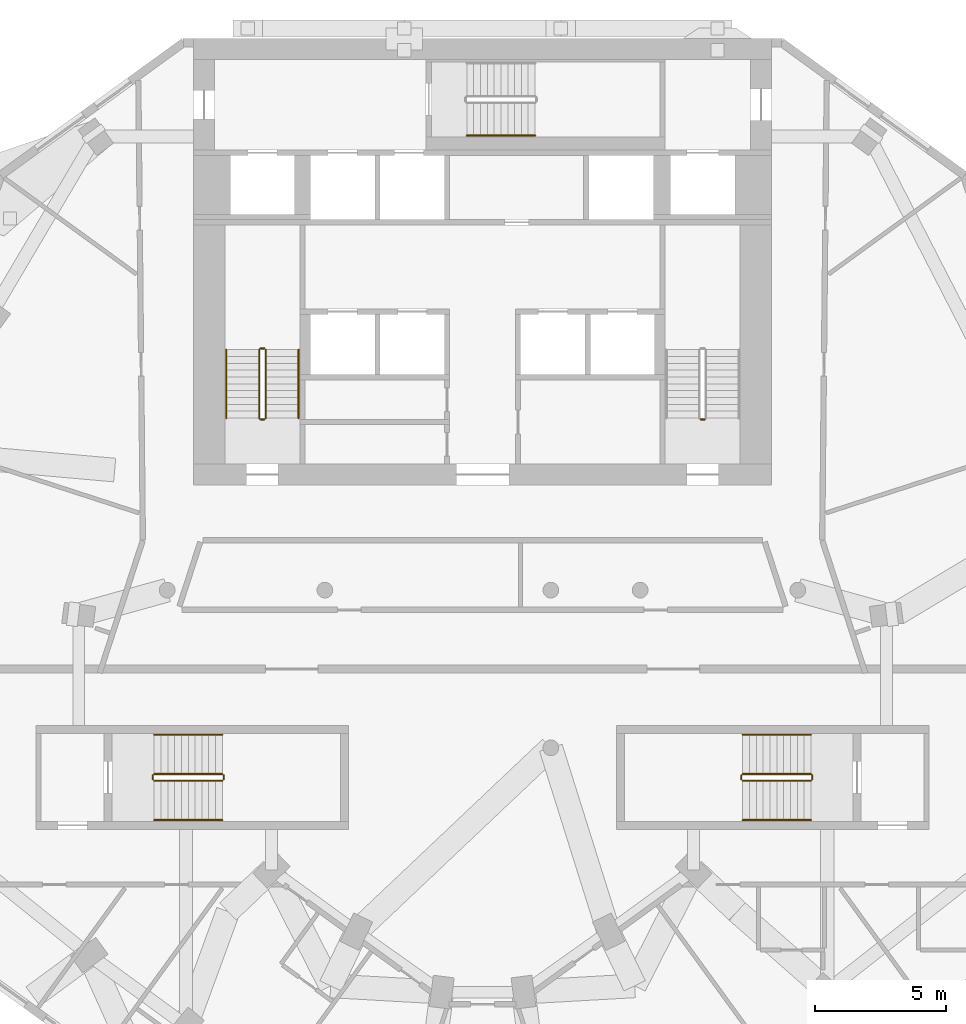
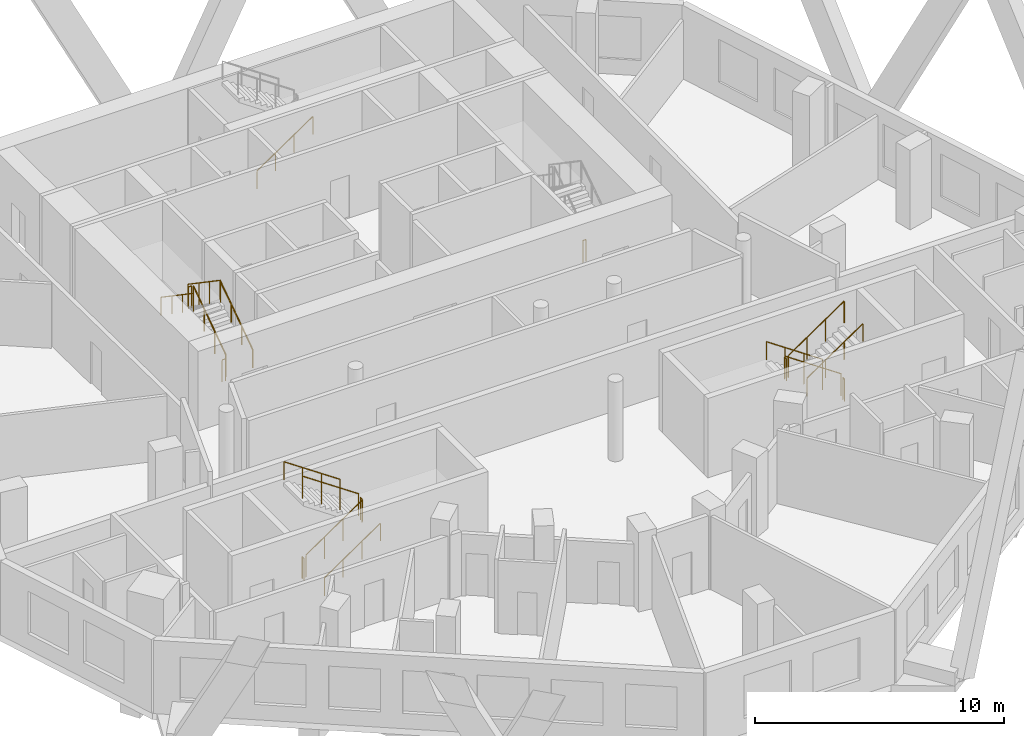
# One storey, part 9 of 10: 20 railings.
"""IFC4 building model written with IfcOpenShell, lengths in metres."""

from ifc_helpers import new_model, si_unit, direction, frame, origin, origin_2d, place, context, subcontext, project, spatial, circle, extrude, material, type_object, element, save


model = new_model("IFC4")

# Units and contexts
model_context = context("Model", 3, precision=1e-05, world=origin(), true_north=direction((0.0, 1.0)))
body_context = subcontext(model_context, "Body", "Model", "MODEL_VIEW")
ifc_project = project(units=[si_unit("LENGTHUNIT", "METRE"), si_unit("AREAUNIT", "SQUARE_METRE"), si_unit("VOLUMEUNIT", "CUBIC_METRE"), si_unit("PLANEANGLEUNIT", "RADIAN"), si_unit("MASSUNIT", "GRAM", prefix="KILO")], contexts=[model_context])

# Site, building, storey
site_placement = place(None, origin())
site = spatial("IfcSite", under=ifc_project, at=site_placement, CompositionType="ELEMENT")
building_placement = place(site_placement, origin())
building = spatial("IfcBuilding", under=site, at=building_placement, Name="White Candle Pilgrim Tower", CompositionType="ELEMENT")
storey_placement = place(building_placement, frame((0.0, 0.0, 196.5)))
storey = spatial("IfcBuildingStorey", under=building, at=storey_placement, Name="L45", CompositionType="ELEMENT", Elevation=196.5)

# Railings
ifc_material = material(Name="Stainless steel", Category="steel")
railing_type_1 = type_object("IfcRailingType", Name="Stair guard stainless steel 1100 mm", PredefinedType="GUARDRAIL", material=ifc_material)
railing_1_placement = place(storey_placement, frame((61.75, 73.550048828125, 0.17724609375)))
element("IfcRailing", 1, at=railing_1_placement, inside=storey, type_object=railing_type_1, Name="L45 ST1 stair guard 1", PredefinedType="GUARDRAIL", context=body_context, shape_type="SweptSolid", body=[
    extrude(circle(Radius=0.02392578125, at=origin_2d()), frame((0.0, 0.0, 1.076171875), z_axis=(0.0, 0.826215852431, 0.563353676824), x_axis=(-1.0, 0.0, 0.0)), (0.0, 0.0, 1.0), 3.146728515625),
    extrude(circle(Radius=0.02099609375, at=origin_2d()), origin(), (0.0, 0.0, 1.0), 1.052001953125),
    extrude(circle(Radius=0.02099609375, at=origin_2d()), frame((0.0, 0.86669921875, 0.5908203125)), (0.0, 0.0, 1.0), 1.052001953125),
    extrude(circle(Radius=0.02099609375, at=origin_2d()), frame((0.0, 1.733154296875, 1.181884765625)), (0.0, 0.0, 1.0), 1.052001953125),
    extrude(circle(Radius=0.02099609375, at=origin_2d()), frame((0.0, 2.599853515625, 1.772705078125)), (0.0, 0.0, 1.0), 1.052001953125),
])
railing_2_placement = place(storey_placement, frame((61.699951171875, 76.199951171875, 1.949951171875)))
element("IfcRailing", 2, at=railing_2_placement, inside=storey, type_object=railing_type_1, Name="L45 ST1 stair guard 2", PredefinedType="GUARDRAIL", context=body_context, shape_type="SweptSolid", body=[
    extrude(circle(Radius=0.02392578125, at=origin_2d()), frame((0.0, 0.0, 1.076171875), z_axis=(-1.0, 0.0, 0.0), x_axis=(0.0, -1.0, 0.0)), (0.0, 0.0, 1.0), 0.14990234375),
    extrude(circle(Radius=0.02099609375, at=origin_2d()), origin(), (0.0, 0.0, 1.0), 1.052001953125),
    extrude(circle(Radius=0.02099609375, at=origin_2d()), frame((-0.14990234375, 0.0, 0.0)), (0.0, 0.0, 1.0), 1.052001953125),
])
railing_3_placement = place(storey_placement, frame((61.5, 76.14990234375, 2.127197265625)))
element("IfcRailing", 3, at=railing_3_placement, inside=storey, type_object=railing_type_1, Name="L45 ST1 stair guard 3", PredefinedType="GUARDRAIL", context=body_context, shape_type="SweptSolid", body=[
    extrude(circle(Radius=0.02392578125, at=origin_2d()), frame((0.0, 0.0, 1.076171875), z_axis=(0.0, -0.826215852431, 0.563353676824), x_axis=(1.0, 0.0, 0.0)), (0.0, 0.0, 1.0), 3.146728515625),
    extrude(circle(Radius=0.02099609375, at=origin_2d()), origin(), (0.0, 0.0, 1.0), 1.052001953125),
    extrude(circle(Radius=0.02099609375, at=origin_2d()), frame((0.0, -0.86669921875, 0.5908203125)), (0.0, 0.0, 1.0), 1.052001953125),
    extrude(circle(Radius=0.02099609375, at=origin_2d()), frame((0.0, -1.733154296875, 1.181884765625)), (0.0, 0.0, 1.0), 1.052001953125),
    extrude(circle(Radius=0.02099609375, at=origin_2d()), frame((0.0, -2.599853515625, 1.772705078125)), (0.0, 0.0, 1.0), 1.052001953125),
])
for number, where, name in (
    (4, (61.699951171875, 73.5, 0.0), "L45 ST1 stair guard 4"),
    (5, (78.449951171875, 73.5, 0.0), "L45 ST2 stair guard 4"),
):
    element("IfcRailing", number, at=place(storey_placement, frame(where)), inside=storey, type_object=railing_type_1, Name=name, PredefinedType="GUARDRAIL", context=body_context, shape_type="SweptSolid", body=[
        extrude(circle(Radius=0.02392578125, at=origin_2d()), frame((0.0, 0.0, 1.076171875), z_axis=(-1.0, 0.0, 0.0), x_axis=(0.0, -1.0, 0.0)), (0.0, 0.0, 1.0), 0.14990234375),
        extrude(circle(Radius=0.02099609375, at=origin_2d()), origin(), (0.0, 0.0, 1.0), 1.052001953125),
        extrude(circle(Radius=0.02099609375, at=origin_2d()), frame((-0.14990234375, 0.0, 0.0)), (0.0, 0.0, 1.0), 1.052001953125),
    ])
railing_4_placement = place(storey_placement, frame((82.5, 60.0, 0.17724609375)))
element("IfcRailing", 6, at=railing_4_placement, inside=storey, type_object=railing_type_1, Name="L45 ST4 stair guard 1", PredefinedType="GUARDRAIL", context=body_context, shape_type="SweptSolid", body=[
    extrude(circle(Radius=0.02392578125, at=origin_2d()), frame((0.0, 0.0, 1.076171875), z_axis=(-0.826240473404, 0.0, 0.563317565952), x_axis=(0.0, -1.0, 0.0)), (0.0, 0.0, 1.0), 3.14697265625),
    extrude(circle(Radius=0.02099609375, at=origin_2d()), origin(), (0.0, 0.0, 1.0), 1.052001953125),
    extrude(circle(Radius=0.02099609375, at=origin_2d()), frame((-0.86669921875, 0.0, 0.5908203125)), (0.0, 0.0, 1.0), 1.052001953125),
    extrude(circle(Radius=0.02099609375, at=origin_2d()), frame((-1.7333984375, 0.0, 1.181884765625)), (0.0, 0.0, 1.0), 1.052001953125),
    extrude(circle(Radius=0.02099609375, at=origin_2d()), frame((-2.60009765625, 0.0, 1.772705078125)), (0.0, 0.0, 1.0), 1.052001953125),
])
railing_5_placement = place(storey_placement, frame((79.85009765625, 59.949951171875, 1.949951171875)))
element("IfcRailing", 7, at=railing_5_placement, inside=storey, type_object=railing_type_1, Name="L45 ST4 stair guard 2", PredefinedType="GUARDRAIL", context=body_context, shape_type="SweptSolid", body=[
    extrude(circle(Radius=0.02392578125, at=origin_2d()), frame((0.0, 0.0, 1.076171875), z_axis=(0.0, -1.0, 0.0), x_axis=(1.0, 0.0, 0.0)), (0.0, 0.0, 1.0), 0.14990234375),
    extrude(circle(Radius=0.02099609375, at=origin_2d()), origin(), (0.0, 0.0, 1.0), 1.052001953125),
    extrude(circle(Radius=0.02099609375, at=origin_2d()), frame((0.0, -0.14990234375, 0.0)), (0.0, 0.0, 1.0), 1.052001953125),
])
railing_6_placement = place(storey_placement, frame((79.89990234375, 59.75, 2.127197265625)))
element("IfcRailing", 8, at=railing_6_placement, inside=storey, type_object=railing_type_1, Name="L45 ST4 stair guard 3", PredefinedType="GUARDRAIL", context=body_context, shape_type="SweptSolid", body=[
    extrude(circle(Radius=0.02392578125, at=origin_2d()), frame((0.0, 0.0, 1.076171875), z_axis=(0.826240473404, 0.0, 0.563317565952), x_axis=(0.0, 1.0, 0.0)), (0.0, 0.0, 1.0), 3.14697265625),
    extrude(circle(Radius=0.02099609375, at=origin_2d()), origin(), (0.0, 0.0, 1.0), 1.052001953125),
    extrude(circle(Radius=0.02099609375, at=origin_2d()), frame((0.86669921875, 0.0, 0.5908203125)), (0.0, 0.0, 1.0), 1.052001953125),
    extrude(circle(Radius=0.02099609375, at=origin_2d()), frame((1.7333984375, 0.0, 1.181884765625)), (0.0, 0.0, 1.0), 1.052001953125),
    extrude(circle(Radius=0.02099609375, at=origin_2d()), frame((2.60009765625, 0.0, 1.772705078125)), (0.0, 0.0, 1.0), 1.052001953125),
])
railing_7_placement = place(storey_placement, frame((82.550048828125, 59.949951171875, 0.0)))
element("IfcRailing", 9, at=railing_7_placement, inside=storey, type_object=railing_type_1, Name="L45 ST4 stair guard 4", PredefinedType="GUARDRAIL", context=body_context, shape_type="SweptSolid", body=[
    extrude(circle(Radius=0.02392578125, at=origin_2d()), frame((0.0, 0.0, 1.076171875), z_axis=(0.0, -1.0, 0.0), x_axis=(1.0, 0.0, 0.0)), (0.0, 0.0, 1.0), 0.14990234375),
    extrude(circle(Radius=0.02099609375, at=origin_2d()), origin(), (0.0, 0.0, 1.0), 1.052001953125),
    extrude(circle(Radius=0.02099609375, at=origin_2d()), frame((0.0, -0.14990234375, 0.0)), (0.0, 0.0, 1.0), 1.052001953125),
])
railing_8_placement = place(storey_placement, frame((57.5, 59.75, 0.17724609375)))
element("IfcRailing", 10, at=railing_8_placement, inside=storey, type_object=railing_type_1, Name="L45 ST5 stair guard 1", PredefinedType="GUARDRAIL", context=body_context, shape_type="SweptSolid", body=[
    extrude(circle(Radius=0.02392578125, at=origin_2d()), frame((0.0, 0.0, 1.076171875), z_axis=(0.826240473404, 0.0, 0.563317565952), x_axis=(0.0, 1.0, 0.0)), (0.0, 0.0, 1.0), 3.14697265625),
    extrude(circle(Radius=0.02099609375, at=origin_2d()), origin(), (0.0, 0.0, 1.0), 1.052001953125),
    extrude(circle(Radius=0.02099609375, at=origin_2d()), frame((0.86669921875, 0.0, 0.5908203125)), (0.0, 0.0, 1.0), 1.052001953125),
    extrude(circle(Radius=0.02099609375, at=origin_2d()), frame((1.7333984375, 0.0, 1.181884765625)), (0.0, 0.0, 1.0), 1.052001953125),
    extrude(circle(Radius=0.02099609375, at=origin_2d()), frame((2.60009765625, 0.0, 1.772705078125)), (0.0, 0.0, 1.0), 1.052001953125),
])
railing_9_placement = place(storey_placement, frame((60.14990234375, 59.800048828125, 1.949951171875)))
element("IfcRailing", 11, at=railing_9_placement, inside=storey, type_object=railing_type_1, Name="L45 ST5 stair guard 2", PredefinedType="GUARDRAIL", context=body_context, shape_type="SweptSolid", body=[
    extrude(circle(Radius=0.02392578125, at=origin_2d()), frame((0.0, 0.0, 1.076171875), z_axis=(0.0, 1.0, 0.0), x_axis=(-1.0, 0.0, 0.0)), (0.0, 0.0, 1.0), 0.14990234375),
    extrude(circle(Radius=0.02099609375, at=origin_2d()), origin(), (0.0, 0.0, 1.0), 1.052001953125),
    extrude(circle(Radius=0.02099609375, at=origin_2d()), frame((0.0, 0.14990234375, 0.0)), (0.0, 0.0, 1.0), 1.052001953125),
])
railing_10_placement = place(storey_placement, frame((60.10009765625, 60.0, 2.127197265625)))
element("IfcRailing", 12, at=railing_10_placement, inside=storey, type_object=railing_type_1, Name="L45 ST5 stair guard 3", PredefinedType="GUARDRAIL", context=body_context, shape_type="SweptSolid", body=[
    extrude(circle(Radius=0.02392578125, at=origin_2d()), frame((0.0, 0.0, 1.076171875), z_axis=(-0.826240473404, 0.0, 0.563317565952), x_axis=(0.0, -1.0, 0.0)), (0.0, 0.0, 1.0), 3.14697265625),
    extrude(circle(Radius=0.02099609375, at=origin_2d()), origin(), (0.0, 0.0, 1.0), 1.052001953125),
    extrude(circle(Radius=0.02099609375, at=origin_2d()), frame((-0.86669921875, 0.0, 0.5908203125)), (0.0, 0.0, 1.0), 1.052001953125),
    extrude(circle(Radius=0.02099609375, at=origin_2d()), frame((-1.7333984375, 0.0, 1.181884765625)), (0.0, 0.0, 1.0), 1.052001953125),
    extrude(circle(Radius=0.02099609375, at=origin_2d()), frame((-2.60009765625, 0.0, 1.772705078125)), (0.0, 0.0, 1.0), 1.052001953125),
])
railing_11_placement = place(storey_placement, frame((57.449951171875, 59.800048828125, 0.0)))
element("IfcRailing", 13, at=railing_11_placement, inside=storey, type_object=railing_type_1, Name="L45 ST5 stair guard 4", PredefinedType="GUARDRAIL", context=body_context, shape_type="SweptSolid", body=[
    extrude(circle(Radius=0.02392578125, at=origin_2d()), frame((0.0, 0.0, 1.076171875), z_axis=(0.0, 1.0, 0.0), x_axis=(-1.0, 0.0, 0.0)), (0.0, 0.0, 1.0), 0.14990234375),
    extrude(circle(Radius=0.02099609375, at=origin_2d()), origin(), (0.0, 0.0, 1.0), 1.052001953125),
    extrude(circle(Radius=0.02099609375, at=origin_2d()), frame((0.0, 0.14990234375, 0.0)), (0.0, 0.0, 1.0), 1.052001953125),
])
railing_type_2 = type_object("IfcRailingType", Name="Stair handrail stainless steel", PredefinedType="HANDRAIL", material=ifc_material)
railing_12_placement = place(storey_placement, frame((63.0, 73.550048828125, 0.17724609375)))
element("IfcRailing", 14, at=railing_12_placement, inside=storey, type_object=railing_type_2, Name="L45 ST1 stair handrail 1", PredefinedType="HANDRAIL", context=body_context, shape_type="SweptSolid", body=[
    extrude(circle(Radius=0.02392578125, at=origin_2d()), frame((0.0, 0.0, 0.8759765625), z_axis=(0.0, 0.826215852431, 0.563353676824), x_axis=(-1.0, 0.0, 0.0)), (0.0, 0.0, 1.0), 3.146728515625),
    extrude(circle(Radius=0.02099609375, at=origin_2d()), origin(), (0.0, 0.0, 1.0), 0.851806640625),
    extrude(circle(Radius=0.02099609375, at=origin_2d()), frame((0.0, 0.86669921875, 0.5908203125)), (0.0, 0.0, 1.0), 0.851806640625),
    extrude(circle(Radius=0.02099609375, at=origin_2d()), frame((0.0, 1.733154296875, 1.181884765625)), (0.0, 0.0, 1.0), 0.851806640625),
    extrude(circle(Radius=0.02099609375, at=origin_2d()), frame((0.0, 2.599853515625, 1.772705078125)), (0.0, 0.0, 1.0), 0.851806640625),
])
railing_13_placement = place(storey_placement, frame((60.25, 76.14990234375, 2.127197265625)))
element("IfcRailing", 15, at=railing_13_placement, inside=storey, type_object=railing_type_2, Name="L45 ST1 stair handrail 2", PredefinedType="HANDRAIL", context=body_context, shape_type="SweptSolid", body=[
    extrude(circle(Radius=0.02392578125, at=origin_2d()), frame((0.0, 0.0, 0.8759765625), z_axis=(0.0, -0.826215852431, 0.563353676824), x_axis=(1.0, 0.0, 0.0)), (0.0, 0.0, 1.0), 3.146728515625),
    extrude(circle(Radius=0.02099609375, at=origin_2d()), origin(), (0.0, 0.0, 1.0), 0.851806640625),
    extrude(circle(Radius=0.02099609375, at=origin_2d()), frame((0.0, -0.86669921875, 0.5908203125)), (0.0, 0.0, 1.0), 0.851806640625),
    extrude(circle(Radius=0.02099609375, at=origin_2d()), frame((0.0, -1.733154296875, 1.181884765625)), (0.0, 0.0, 1.0), 0.851806640625),
    extrude(circle(Radius=0.02099609375, at=origin_2d()), frame((0.0, -2.599853515625, 1.772705078125)), (0.0, 0.0, 1.0), 0.851806640625),
])
railing_14_placement = place(storey_placement, frame((69.39990234375, 84.300048828125, 0.17724609375)))
element("IfcRailing", 16, at=railing_14_placement, inside=storey, type_object=railing_type_2, Name="L45 ST3 stair handrail 1", PredefinedType="HANDRAIL", context=body_context, shape_type="SweptSolid", body=[
    extrude(circle(Radius=0.02392578125, at=origin_2d()), frame((0.0, 0.0, 0.8759765625), z_axis=(0.826240473404, 0.0, 0.563317565952), x_axis=(0.0, 1.0, 0.0)), (0.0, 0.0, 1.0), 3.14697265625),
    extrude(circle(Radius=0.02099609375, at=origin_2d()), origin(), (0.0, 0.0, 1.0), 0.851806640625),
    extrude(circle(Radius=0.02099609375, at=origin_2d()), frame((0.86669921875, 0.0, 0.5908203125)), (0.0, 0.0, 1.0), 0.851806640625),
    extrude(circle(Radius=0.02099609375, at=origin_2d()), frame((1.7333984375, 0.0, 1.181884765625)), (0.0, 0.0, 1.0), 0.851806640625),
    extrude(circle(Radius=0.02099609375, at=origin_2d()), frame((2.60009765625, 0.0, 1.772705078125)), (0.0, 0.0, 1.0), 0.851806640625),
])
railing_15_placement = place(storey_placement, frame((82.5, 61.5, 0.17724609375)))
element("IfcRailing", 17, at=railing_15_placement, inside=storey, type_object=railing_type_2, Name="L45 ST4 stair handrail 1", PredefinedType="HANDRAIL", context=body_context, shape_type="SweptSolid", body=[
    extrude(circle(Radius=0.02392578125, at=origin_2d()), frame((0.0, 0.0, 0.8759765625), z_axis=(-0.826240473404, 0.0, 0.563317565952), x_axis=(0.0, -1.0, 0.0)), (0.0, 0.0, 1.0), 3.14697265625),
    extrude(circle(Radius=0.02099609375, at=origin_2d()), origin(), (0.0, 0.0, 1.0), 0.851806640625),
    extrude(circle(Radius=0.02099609375, at=origin_2d()), frame((-0.86669921875, 0.0, 0.5908203125)), (0.0, 0.0, 1.0), 0.851806640625),
    extrude(circle(Radius=0.02099609375, at=origin_2d()), frame((-1.7333984375, 0.0, 1.181884765625)), (0.0, 0.0, 1.0), 0.851806640625),
    extrude(circle(Radius=0.02099609375, at=origin_2d()), frame((-2.60009765625, 0.0, 1.772705078125)), (0.0, 0.0, 1.0), 0.851806640625),
])
for number, where, name in (
    (18, (79.89990234375, 58.25, 2.127197265625), "L45 ST4 stair handrail 2"),
    (19, (57.5, 58.25, 0.17724609375), "L45 ST5 stair handrail 1"),
):
    element("IfcRailing", number, at=place(storey_placement, frame(where)), inside=storey, type_object=railing_type_2, Name=name, PredefinedType="HANDRAIL", context=body_context, shape_type="SweptSolid", body=[
        extrude(circle(Radius=0.02392578125, at=origin_2d()), frame((0.0, 0.0, 0.8759765625), z_axis=(0.826240473404, 0.0, 0.563317565952), x_axis=(0.0, 1.0, 0.0)), (0.0, 0.0, 1.0), 3.14697265625),
        extrude(circle(Radius=0.02099609375, at=origin_2d()), origin(), (0.0, 0.0, 1.0), 0.851806640625),
        extrude(circle(Radius=0.02099609375, at=origin_2d()), frame((0.86669921875, 0.0, 0.5908203125)), (0.0, 0.0, 1.0), 0.851806640625),
        extrude(circle(Radius=0.02099609375, at=origin_2d()), frame((1.7333984375, 0.0, 1.181884765625)), (0.0, 0.0, 1.0), 0.851806640625),
        extrude(circle(Radius=0.02099609375, at=origin_2d()), frame((2.60009765625, 0.0, 1.772705078125)), (0.0, 0.0, 1.0), 0.851806640625),
    ])
railing_16_placement = place(storey_placement, frame((60.10009765625, 61.5, 2.127197265625)))
element("IfcRailing", 20, at=railing_16_placement, inside=storey, type_object=railing_type_2, Name="L45 ST5 stair handrail 2", PredefinedType="HANDRAIL", context=body_context, shape_type="SweptSolid", body=[
    extrude(circle(Radius=0.02392578125, at=origin_2d()), frame((0.0, 0.0, 0.8759765625), z_axis=(-0.826240473404, 0.0, 0.563317565952), x_axis=(0.0, -1.0, 0.0)), (0.0, 0.0, 1.0), 3.14697265625),
    extrude(circle(Radius=0.02099609375, at=origin_2d()), origin(), (0.0, 0.0, 1.0), 0.851806640625),
    extrude(circle(Radius=0.02099609375, at=origin_2d()), frame((-0.86669921875, 0.0, 0.5908203125)), (0.0, 0.0, 1.0), 0.851806640625),
    extrude(circle(Radius=0.02099609375, at=origin_2d()), frame((-1.7333984375, 0.0, 1.181884765625)), (0.0, 0.0, 1.0), 0.851806640625),
    extrude(circle(Radius=0.02099609375, at=origin_2d()), frame((-2.60009765625, 0.0, 1.772705078125)), (0.0, 0.0, 1.0), 0.851806640625),
])

save(model, "model.ifc")
